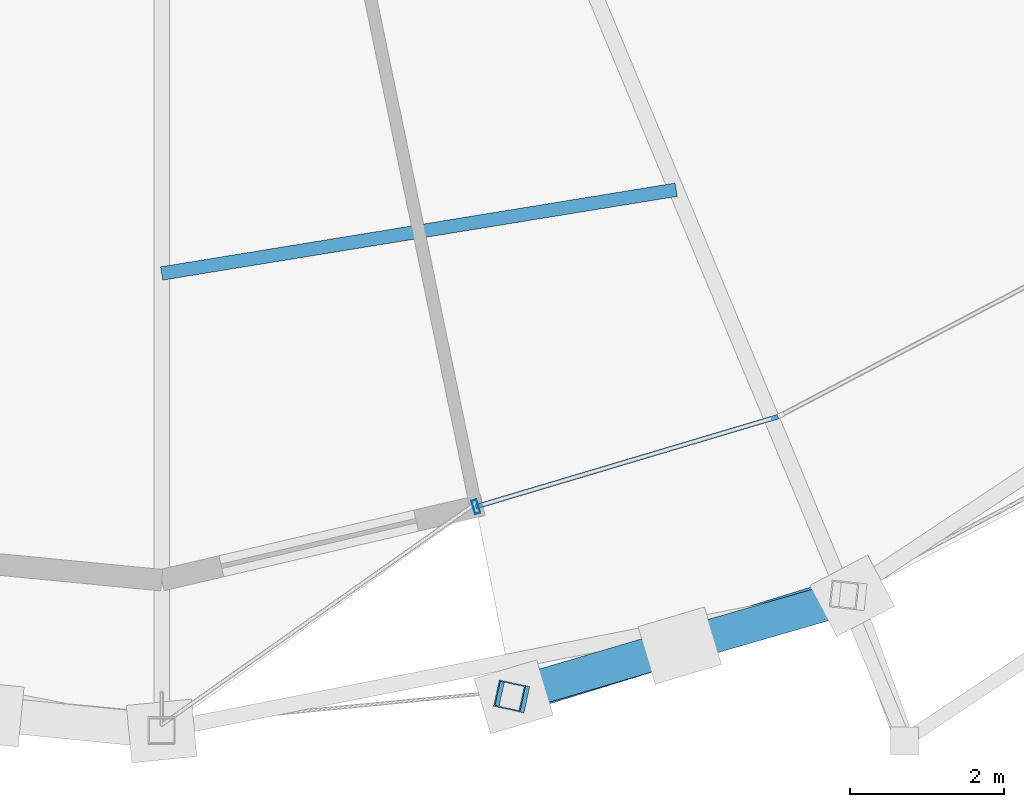
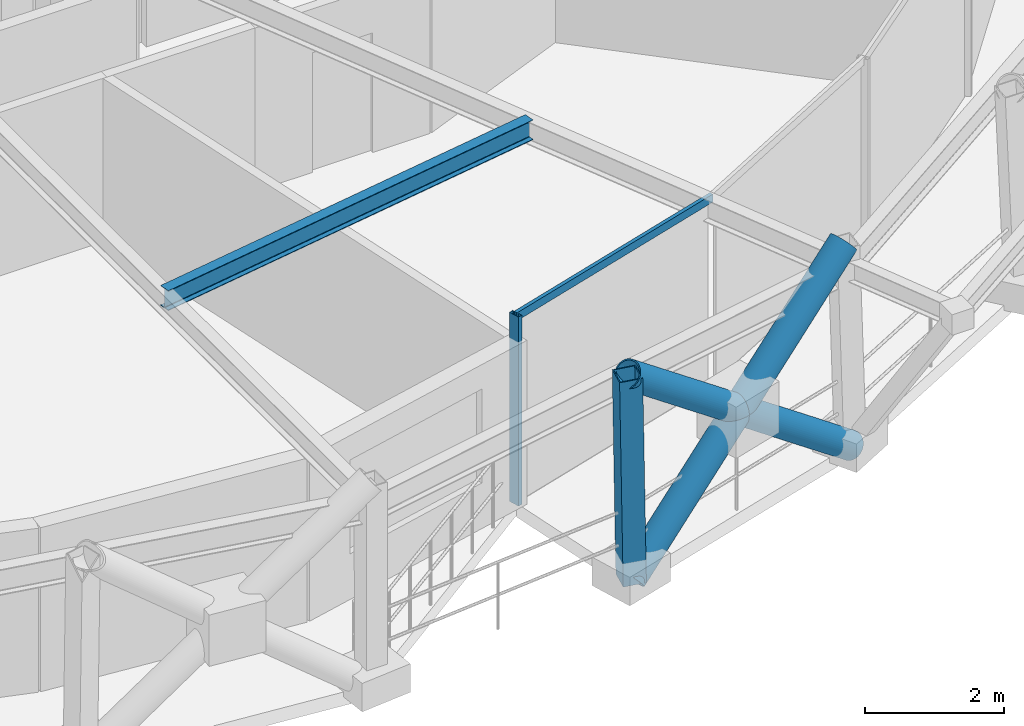
# One storey, part 2 of 18: 6 members, 1 beam, 1 element without a shape of its own.
"""IFC4 building model written with IfcOpenShell, lengths in metres."""

import ifcopenshell
import ifcopenshell.guid

model = None  # the IFC model being written
_history = None  # IfcOwnerHistory: only IFC2X3 demands one
_inside = {}  # id of a spatial element -> (the spatial element, [elements in it])
_under = {}  # id of a project, library or spatial element -> (it, [spatial elements below it])
_declared = {}  # id of a project -> (the project, [libraries it declares])
_typed = {}  # id of a type object -> (the type object, [elements of that type])
_made_of = {}  # id of a material, layer set ... -> (it, [elements and type objects made of it])


def new_model(schema):
    """Start an empty IFC model of exactly this schema.

    Asked for "IFC4X3", IfcOpenShell would pick the latest addendum, in which some entities
    have other attributes; the version numbers below select the first issue.
    IFC2X3 requires an IfcOwnerHistory on every rooted entity: one is made here for all.
    """
    global model, _history
    if schema == "IFC4X3":
        model = ifcopenshell.file(schema_version=(4, 3, 0, 0))
    else:
        model = ifcopenshell.file(schema=schema)
    _inside.clear()
    _under.clear()
    _declared.clear()
    _typed.clear()
    _made_of.clear()
    _history = None
    if model.schema == "IFC2X3":
        org = make("IfcOrganization", Name="unknown")
        user = make(
            "IfcPersonAndOrganization",
            ThePerson=make("IfcPerson", FamilyName="unknown"),
            TheOrganization=org,
        )
        app = make(
            "IfcApplication",
            ApplicationDeveloper=org,
            Version="unknown",
            ApplicationFullName="unknown",
            ApplicationIdentifier="unknown",
        )
        _history = make(
            "IfcOwnerHistory",
            OwningUser=user,
            OwningApplication=app,
            ChangeAction="ADDED",
            CreationDate=0,
        )
    return model


def make(cls, **values):
    """One entity of the class cls with the attributes given. An attribute that is None is left unset."""
    return model.create_entity(
        cls, **{name: value for name, value in values.items() if value is not None}
    )


def rooted(cls, **values):
    """An entity with a GlobalId (a new one), such as an element, a storey or a relation."""
    return make(cls, GlobalId=ifcopenshell.guid.new(), OwnerHistory=_history, **values)


def si_unit(unit_type, name, prefix=None):
    """IfcSIUnit, for example si_unit("LENGTHUNIT", "METRE", prefix="MILLI")."""
    return make("IfcSIUnit", UnitType=unit_type, Prefix=prefix, Name=name)


def assignment(units):
    """IfcUnitAssignment: the units of a project."""
    return None if units is None else make("IfcUnitAssignment", Units=units)


def point(xyz):
    """IfcCartesianPoint."""
    return None if xyz is None else make("IfcCartesianPoint", Coordinates=xyz)


def direction(xyz):
    """IfcDirection."""
    return None if xyz is None else make("IfcDirection", DirectionRatios=xyz)


def frame(location, z_axis=None, x_axis=None):
    """IfcAxis2Placement3D, a coordinate frame: its origin and axes. An axis left out is left unset."""
    return make(
        "IfcAxis2Placement3D",
        Location=point(location),
        Axis=direction(z_axis),
        RefDirection=direction(x_axis),
    )


def frame_2d(location, x_axis=None):
    """IfcAxis2Placement2D, a coordinate frame in the plane: its origin and x axis."""
    return make(
        "IfcAxis2Placement2D", Location=point(location), RefDirection=direction(x_axis)
    )


def origin():
    """The frame at (0, 0, 0) with its axes left unset."""
    return frame((0.0, 0.0, 0.0))


def origin_2d():
    """The frame at (0, 0) in the plane with its x axis left unset."""
    return frame_2d((0.0, 0.0))


def place(relative_to, where):
    """IfcLocalPlacement: puts the frame where relative to a parent placement (None: the world)."""
    return make(
        "IfcLocalPlacement", PlacementRelTo=relative_to, RelativePlacement=where
    )


def context(
    kind, dimensions, precision=None, world=None, true_north=None, identifier=None
):
    """IfcGeometricRepresentationContext, for example the 3D "Model" context."""
    return make(
        "IfcGeometricRepresentationContext",
        ContextIdentifier=identifier,
        ContextType=kind,
        CoordinateSpaceDimension=dimensions,
        Precision=precision,
        WorldCoordinateSystem=world,
        TrueNorth=true_north,
    )


def subcontext(parent, identifier, kind, view, scale=None):
    """IfcGeometricRepresentationSubContext, for example "Body" below "Model"."""
    return make(
        "IfcGeometricRepresentationSubContext",
        ContextIdentifier=identifier,
        ContextType=kind,
        ParentContext=parent,
        TargetScale=scale,
        TargetView=view,
    )


def project(units=None, contexts=None):
    """IfcProject with its units and contexts."""
    return rooted(
        "IfcProject",
        Name="project",
        RepresentationContexts=contexts,
        UnitsInContext=assignment(units),
    )


def spatial(cls, under=None, at=None, **own):
    """A site, building, storey or space (cls), placed at a placement, below another one or the project."""
    s = rooted(cls, ObjectPlacement=at, **own)
    if under is not None:
        _under.setdefault(under.id(), (under, []))[1].append(s)
    return s


def profile(cls, at=None, kind="AREA", **sizes):
    """A parametric profile (cls). Its sizes go by their IFC names, for example OverallWidth=200.0."""
    return make(cls, ProfileType=kind, Position=at, **sizes)


def hollow_rectangle(**sizes):
    """IfcRectangleHollowProfileDef."""
    return profile("IfcRectangleHollowProfileDef", **sizes)


def hollow_circle(**sizes):
    """IfcCircleHollowProfileDef."""
    return profile("IfcCircleHollowProfileDef", **sizes)


def i_section(**sizes):
    """IfcIShapeProfileDef."""
    return profile("IfcIShapeProfileDef", **sizes)


def extrude(swept, where, along, depth):
    """IfcExtrudedAreaSolid: the profile swept, set in the frame where, extruded along a direction by depth."""
    return make(
        "IfcExtrudedAreaSolid",
        SweptArea=swept,
        Position=where,
        ExtrudedDirection=direction(along),
        Depth=depth,
    )


def shape(context_of_items, identifier, shape_type, items):
    """IfcShapeRepresentation: the items that make up one representation, for example the "Body"."""
    return make(
        "IfcShapeRepresentation",
        ContextOfItems=context_of_items,
        RepresentationIdentifier=identifier,
        RepresentationType=shape_type,
        Items=items,
    )


def material(Name=None, Category=None):
    """IfcMaterial."""
    return make("IfcMaterial", Name=Name, Category=Category)


def layer(
    of_material, thickness, ventilated=None, Name=None, Category=None, Priority=None
):
    """IfcMaterialLayer: one layer of a wall or slab, of a material (None: an air gap)."""
    return make(
        "IfcMaterialLayer",
        Material=of_material,
        LayerThickness=thickness,
        IsVentilated=ventilated,
        Name=Name,
        Category=Category,
        Priority=Priority,
    )


def layer_set(layers, Name=None):
    """IfcMaterialLayerSet."""
    return make("IfcMaterialLayerSet", MaterialLayers=layers, LayerSetName=Name)


def material_profile(
    of_material, cross_section, Name=None, Category=None, Priority=None
):
    """IfcMaterialProfile: a cross section and its material."""
    return make(
        "IfcMaterialProfile",
        Name=Name,
        Material=of_material,
        Profile=cross_section,
        Priority=Priority,
        Category=Category,
    )


def profile_set(profiles, Name=None, composite=None):
    """IfcMaterialProfileSet."""
    return make(
        "IfcMaterialProfileSet",
        Name=Name,
        MaterialProfiles=profiles,
        CompositeProfile=composite,
    )


def made_of(thing, what):
    """Note that an element or type object is made of a material, layer set ...; save() writes the relation."""
    if what is not None:
        _made_of.setdefault(what.id(), (what, []))[1].append(thing)
    return thing


def type_object(cls, material=None, **own):
    """A type object (cls), such as IfcWallType, which elements share."""
    return made_of(rooted(cls, **own), material)


def element(
    cls,
    number,
    at=None,
    inside=None,
    cuts=None,
    type_object=None,
    material=None,
    context=None,
    identifier="Body",
    shape_type=None,
    held_by="IfcProductDefinitionShape",
    body=None,
    shapes=None,
    **own,
):
    """One element of the class cls, such as IfcWall. Its Tag is "e" and its number.

    at: its placement. inside: the storey or other place that contains it. cuts: it is an
    opening in that element (IfcRelVoidsElement). A single representation is given by context,
    identifier, shape_type and body (its items); several are given by shapes. held_by: the class
    of the entity that holds the representations. save() writes the other relations.
    """
    e = rooted(cls, Tag="e%d" % number, ObjectPlacement=at, **own)
    if body is not None:
        shapes = [shape(context, identifier, shape_type, body)]
    if shapes is not None:
        e.Representation = make(held_by, Representations=shapes)
    if inside is not None:
        _inside.setdefault(inside.id(), (inside, []))[1].append(e)
    if cuts is not None:
        rooted(
            "IfcRelVoidsElement", RelatingBuildingElement=cuts, RelatedOpeningElement=e
        )
    if type_object is not None:
        _typed.setdefault(type_object.id(), (type_object, []))[1].append(e)
    return made_of(e, material)


def aggregate(whole, parts):
    """IfcRelAggregates: a whole, such as a stair, and the parts it consists of."""
    return rooted("IfcRelAggregates", RelatingObject=whole, RelatedObjects=parts)


def save(model, path):
    """Write the relations noted so far, then the file.

    IfcRelAggregates (storeys below a building ...), IfcRelContainedInSpatialStructure (elements
    in a storey), IfcRelDefinesByType, IfcRelAssociatesMaterial and IfcRelDeclares: one each for
    every whole, place, type object, material and project.
    """
    for whole, parts in _under.values():
        aggregate(whole, parts)
    for where, things in _inside.values():
        rooted(
            "IfcRelContainedInSpatialStructure",
            RelatedElements=things,
            RelatingStructure=where,
        )
    for kind, things in _typed.values():
        rooted("IfcRelDefinesByType", RelatedObjects=things, RelatingType=kind)
    for what, things in _made_of.values():
        rooted("IfcRelAssociatesMaterial", RelatedObjects=things, RelatingMaterial=what)
    for by, libraries in _declared.values():
        rooted("IfcRelDeclares", RelatingContext=by, RelatedDefinitions=libraries)
    model.write(path)


model = new_model("IFC4")

# Units and contexts
model_context = context("Model", 3, precision=1e-05, world=origin(), true_north=direction((0.0, 1.0)))
body_context = subcontext(model_context, "Body", "Model", "MODEL_VIEW")
ifc_project = project(units=[si_unit("LENGTHUNIT", "METRE"), si_unit("AREAUNIT", "SQUARE_METRE"), si_unit("VOLUMEUNIT", "CUBIC_METRE"), si_unit("PLANEANGLEUNIT", "RADIAN"), si_unit("MASSUNIT", "GRAM", prefix="KILO")], contexts=[model_context])

# Site, building, storey
site_placement = place(None, origin())
site = spatial("IfcSite", under=ifc_project, at=site_placement, CompositionType="ELEMENT")
building_placement = place(site_placement, origin())
building = spatial("IfcBuilding", under=site, at=building_placement, Name="Veldorina Hangang Commons", CompositionType="ELEMENT")
storey_placement = place(building_placement, frame((0.0, 0.0, 243.60009765625)))
storey = spatial("IfcBuildingStorey", under=building, at=storey_placement, Name="L63", CompositionType="ELEMENT", Elevation=243.60009765625)

# Beam
ifc_material_1 = material(Name="Steel SM355-TMC", Category="steel")
ifc_material_profile_1 = material_profile(ifc_material_1, i_section(OverallWidth=0.175048828125, OverallDepth=0.35009765625, WebThickness=0.007080078125, FlangeThickness=0.010986328125, FilletRadius=0.012939453125, at=origin_2d()), Name="H-350x175x7x11")
ifc_profile_set_1 = profile_set([ifc_material_profile_1], Name="Steel SM355-TMC")
beam_type = type_object("IfcBeamType", Name="BM-JST350", PredefinedType="JOIST", material=ifc_profile_set_1)
beam_placement = place(storey_placement, frame((32.0, 6.86474609375, 3.184814453125), z_axis=(0.987004346368, 0.160693560079, 0.0), x_axis=(-0.160693560079, 0.987004346368, 0.0)))
element("IfcBeam", 1, at=beam_placement, inside=storey, type_object=beam_type, Name="L63 secondary floor joist 13", PredefinedType="JOIST", context=body_context, shape_type="SweptSolid", body=[
    extrude(i_section(OverallWidth=0.175048828125, OverallDepth=0.35009765625, WebThickness=0.007080078125, FlangeThickness=0.010986328125, FilletRadius=0.012939453125, at=origin_2d()), origin(), (0.0, 0.0, 1.0), 6.776123046875),
])

# Curtain wall, members
ifc_material_2 = material(Name="Glass Low-E Selective", Category="glass")
ifc_layer = layer(ifc_material_2, 0.179931640625)
ifc_layer_set = layer_set([ifc_layer], Name="Glass Low-E Selective")
curtain_wall_type = type_object("IfcCurtainWallType", Name="CW-SYS-Z3", PredefinedType="NOTDEFINED", material=ifc_layer_set)
curtain_wall_placement = place(storey_placement, origin())
curtain_wall = element("IfcCurtainWall", 2, at=curtain_wall_placement, inside=storey, type_object=curtain_wall_type, Name="L63 unitised curtain wall CW-L63-R1", PredefinedType="NOTDEFINED")
ifc_material_3 = material(Name="Aluminium Anodized AA6063-T6", Category="aluminium")
ifc_material_profile_2 = material_profile(ifc_material_3, hollow_rectangle(XDim=0.070068359375, YDim=0.179931640625, WallThickness=0.00390625, at=origin_2d()), Name="ALU-RHS-180x70x4")
ifc_profile_set_2 = profile_set([ifc_material_profile_2], Name="Aluminium Anodized AA6063-T6")
member_type_1 = type_object("IfcMemberType", Name="CW-MUL-180", PredefinedType="MULLION", material=ifc_profile_set_2)
member_1_placement = place(storey_placement, frame((36.083984375, 3.833251953125, 0.0), z_axis=(0.0, 0.0, 1.0), x_axis=(0.958362454745, 0.285554557547, 0.0)))
member_1 = element("IfcMember", 3, at=member_1_placement, type_object=member_type_1, Name="CW-L63-R1 vertical mullion 1", PredefinedType="MULLION", context=body_context, shape_type="SweptSolid", body=[
    extrude(hollow_rectangle(XDim=0.070068359375, YDim=0.179931640625, WallThickness=0.00390625, at=origin_2d()), origin(), (0.0, 0.0, 1.0), 3.31982421875),
])
ifc_material_profile_3 = material_profile(ifc_material_3, hollow_rectangle(XDim=0.06005859375, YDim=0.139892578125, WallThickness=0.00341796875, at=origin_2d()), Name="ALU-RHS-140x60x3.5")
ifc_profile_set_3 = profile_set([ifc_material_profile_3], Name="Aluminium Anodized AA6063-T6")
member_type_2 = type_object("IfcMemberType", Name="CW-TRN-140", PredefinedType="USERDEFINED", material=ifc_profile_set_3)
member_2_placement = place(storey_placement, frame((36.083984375, 3.833251953125, 3.27978515625), z_axis=(0.958352726257, 0.285587205729, 0.0), x_axis=(-0.285587205729, 0.958352726257, 0.0)))
member_2 = element("IfcMember", 4, at=member_2_placement, type_object=member_type_2, Name="CW-L63-R1 facet 1 transom 1", ObjectType="TRANSOM", PredefinedType="USERDEFINED", context=body_context, shape_type="SweptSolid", body=[
    extrude(hollow_rectangle(XDim=0.06005859375, YDim=0.139892578125, WallThickness=0.00341796875, at=origin_2d()), origin(), (0.0, 0.0, 1.0), 4.097412109375),
])
aggregate(curtain_wall, [member_1, member_2])

# Members
ifc_material_profile_4 = material_profile(ifc_material_1, hollow_circle(Radius=0.22509765625, WallThickness=0.02197265625, at=origin_2d()), Name="CHS-450x22")
ifc_profile_set_4 = profile_set([ifc_material_profile_4], Name="Steel SM355-TMC")
member_type_3 = type_object("IfcMemberType", Name="DG-CHS450", PredefinedType="BRACE", material=ifc_profile_set_4)
member_3_placement = place(storey_placement, frame((36.575439453125, 1.36181640625, 0.0), z_axis=(0.745868432909, 0.229996944724, 0.625125336398), x_axis=(-0.294669775194, 0.955599143777, 0.0)))
element("IfcMember", 5, at=member_3_placement, inside=storey, type_object=member_type_3, Name="L63 continuous perimeter diagrid brace 25", PredefinedType="BRACE", context=body_context, shape_type="SweptSolid", body=[
    extrude(hollow_circle(Radius=0.22509765625, WallThickness=0.02197265625, at=origin_2d()), origin(), (0.0, 0.0, 1.0), 5.758544921875),
])
member_4_placement = place(storey_placement, frame((40.97509765625, 2.67529296875, 0.0), z_axis=(-0.758991175647, -0.219418501579, 0.613015429214), x_axis=(0.277720001642, -0.960662063729, 0.0)))
element("IfcMember", 6, at=member_4_placement, inside=storey, type_object=member_type_3, Name="L63 split perimeter diagrid lower brace 26", PredefinedType="BRACE", context=body_context, shape_type="SweptSolid", body=[
    extrude(hollow_circle(Radius=0.22509765625, WallThickness=0.02197265625, at=origin_2d()), origin(), (0.0, 0.0, 1.0), 2.951904296875),
])
member_5_placement = place(storey_placement, frame((38.734619140625, 2.027587890625, 1.8095703125), z_axis=(-0.757617699781, -0.223974599174, 0.613066717335), x_axis=(0.283500976361, -0.958971947662, 0.0)))
element("IfcMember", 7, at=member_5_placement, inside=storey, type_object=member_type_3, Name="L63 split perimeter diagrid upper brace 26", PredefinedType="BRACE", context=body_context, shape_type="SweptSolid", body=[
    extrude(hollow_circle(Radius=0.22509765625, WallThickness=0.02197265625, at=origin_2d()), origin(), (0.0, 0.0, 1.0), 2.920166015625),
])
ifc_material_profile_5 = material_profile(ifc_material_1, hollow_rectangle(XDim=0.35009765625, YDim=0.35009765625, WallThickness=0.01611328125, at=origin_2d()), Name="SHS-350x350x16")
ifc_profile_set_5 = profile_set([ifc_material_profile_5], Name="Steel SM355-TMC")
member_type_4 = type_object("IfcMemberType", Name="STR-SHS350", PredefinedType="STRUT", material=ifc_profile_set_5)
member_6_placement = place(storey_placement, frame((36.575439453125, 1.36181640625, 0.0), z_axis=(-0.014782978858, 0.003254967822, 0.999885427797), x_axis=(-0.21503270071, -0.976606849057, 0.0)))
element("IfcMember", 8, at=member_6_placement, inside=storey, type_object=member_type_4, Name="L63 perimeter ring node post 25", PredefinedType="STRUT", context=body_context, shape_type="SweptSolid", body=[
    extrude(hollow_rectangle(XDim=0.35009765625, YDim=0.35009765625, WallThickness=0.01611328125, at=origin_2d()), origin(), (0.0, 0.0, 1.0), 3.600341796875),
])

save(model, "model.ifc")
